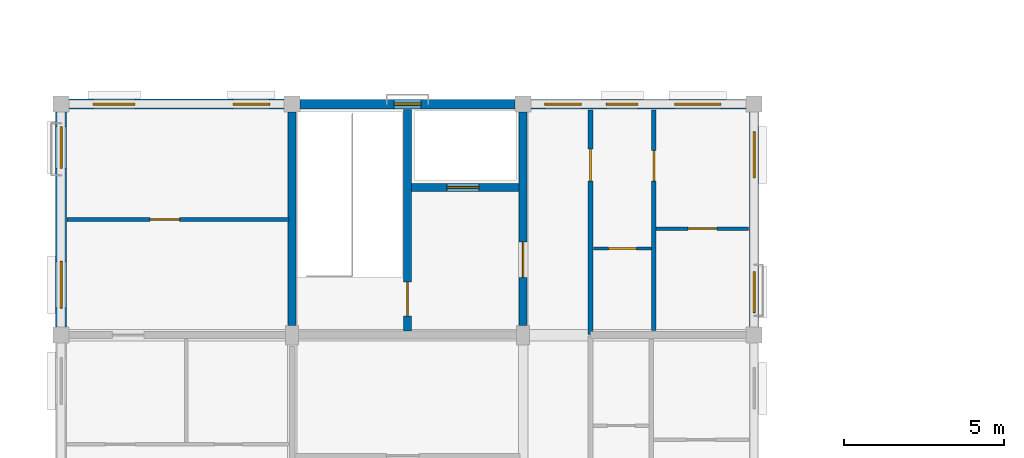
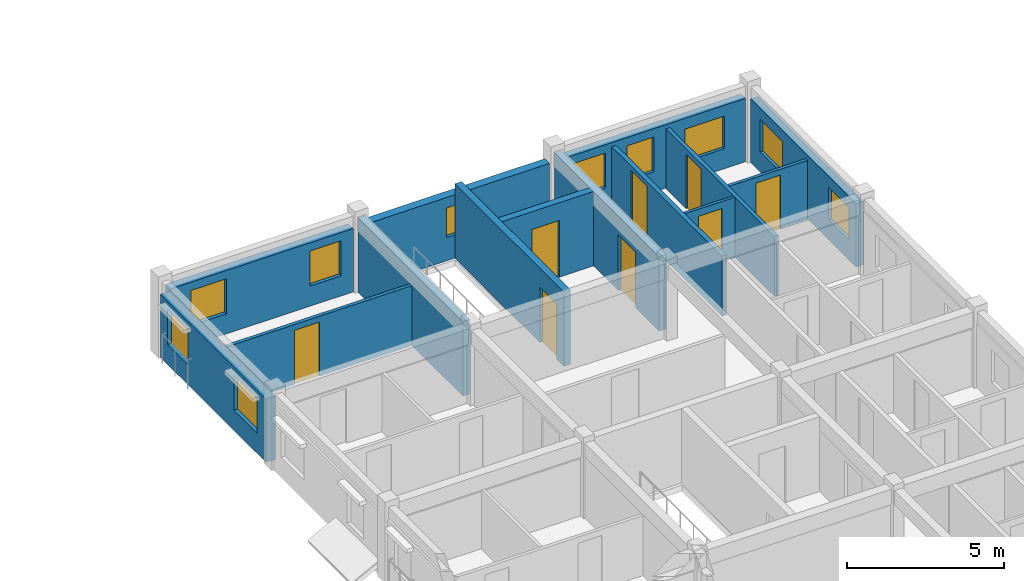
# One storey, part 46 of 64: 14 walls, 10 windows, 8 doors, 18 openings.
"""IFC4 building model written with IfcOpenShell, lengths in metres."""

from ifc_helpers import new_model, si_unit, direction, frame, frame_2d, origin, place, context, subcontext, project, spatial, rectangle, extrude, material, layer, layer_set, type_object, element, fill, save


model = new_model("IFC4")

# Units and contexts
model_context = context("Model", 3, precision=1e-05, world=origin(), true_north=direction((0.0, 1.0)))
body_context = subcontext(model_context, "Body", "Model", "MODEL_VIEW")
ifc_project = project(units=[si_unit("LENGTHUNIT", "METRE"), si_unit("AREAUNIT", "SQUARE_METRE"), si_unit("VOLUMEUNIT", "CUBIC_METRE"), si_unit("PLANEANGLEUNIT", "RADIAN"), si_unit("MASSUNIT", "GRAM", prefix="KILO"), si_unit("THERMODYNAMICTEMPERATUREUNIT", "KELVIN"), si_unit("POWERUNIT", "WATT")], contexts=[model_context])

# Site, building, storey
site_placement = place(None, origin())
site = spatial("IfcSite", under=ifc_project, at=site_placement, CompositionType="ELEMENT")
building_placement = place(site_placement, origin())
building = spatial("IfcBuilding", under=site, at=building_placement, Name="Tavuni Mirador Residences", CompositionType="ELEMENT")
storey_placement = place(building_placement, frame((0.0, 0.0, 26.550048828125)))
storey = spatial("IfcBuildingStorey", under=building, at=storey_placement, Name="L08", CompositionType="ELEMENT", Elevation=26.550048828125)

# Wall
ifc_material_1 = material(Name="Precast concrete C40/50", Category="concrete")
ifc_layer_1 = layer(ifc_material_1, 0.25, Name="Precast concrete C40/50", Category="concrete")
ifc_layer_set_1 = layer_set([ifc_layer_1], Name="Precast concrete C40/50")
wall_type_1 = type_object("IfcWallType", Name="WT-COR250", PredefinedType="SHEAR", material=ifc_layer_set_1)
wall_1_placement = place(storey_placement, frame((10.800048828125, 86.699951171875, 0.0), z_axis=(0.0, 0.0, 1.0), x_axis=(0.0, 1.0, 0.0)))
element("IfcWall", 1, at=wall_1_placement, inside=storey, type_object=wall_type_1, Name="CWALL-C4-L08-W", PredefinedType="SHEAR", context=body_context, shape_type="SweptSolid", body=[
    extrude(rectangle(XDim=6.650146484375, YDim=0.25, at=frame_2d((3.3251953125, 0.0))), origin(), (0.0, 0.0, 1.0), 2.889892578125),
])

# Wall, opening, door
wall_2_placement = place(storey_placement, frame((18.0, 86.699951171875, 0.0), z_axis=(0.0, 0.0, 1.0), x_axis=(0.0, 1.0, 0.0)))
wall_2 = element("IfcWall", 2, at=wall_2_placement, inside=storey, type_object=wall_type_1, Name="CWALL-C4-L08-E", PredefinedType="SHEAR", context=body_context, shape_type="SweptSolid", body=[
    extrude(rectangle(XDim=6.650146484375, YDim=0.25, at=frame_2d((3.3251953125, 0.0))), origin(), (0.0, 0.0, 1.0), 2.889892578125),
])
opening_1_placement = place(wall_2_placement, frame((1.5, 0.0, 0.0)))
opening_1 = element("IfcOpeningElement", 3, at=opening_1_placement, cuts=wall_2, Name="Opening D-02", PredefinedType="OPENING", context=body_context, shape_type="SweptSolid", body=[
    extrude(rectangle(XDim=1.10009765625, YDim=2.14990234375, at=frame_2d((0.550048828125, 1.074951171875))), frame((0.0, 0.135009765625, 0.0), z_axis=(0.0, -1.0, 0.0), x_axis=(1.0, 0.0, 0.0)), (0.0, 0.0, 1.0), 0.27001953125),
])
ifc_material_2 = material(Name="Solid core iroko timber", Category="wood")
door_type_1 = type_object("IfcDoorType", Name="DT-LOB1100", OperationType="NOTDEFINED", PredefinedType="DOOR", material=ifc_material_2)
door_1_placement = place(opening_1_placement, frame((1.10009765625, 0.0, 0.0), z_axis=(0.0, 0.0, 1.0), x_axis=(-1.0, 0.0, 0.0)))
door_1 = element("IfcDoor", 4, at=door_1_placement, inside=storey, type_object=door_type_1, Name="DR-2168", OperationType="SINGLE_SWING_LEFT", OverallHeight=2.14990234375, OverallWidth=1.10009765625, PredefinedType="DOOR", context=body_context, shape_type="SweptSolid", body=[
    extrude(rectangle(XDim=1.10009765625, YDim=2.14990234375, at=frame_2d((0.550048828125, 1.074951171875))), frame((0.0, 0.02490234375, 0.0), z_axis=(0.0, -1.0, 0.0), x_axis=(1.0, 0.0, 0.0)), (0.0, 0.0, 1.0), 0.050048828125),
])
fill(opening_1, door_1)

wall_3_placement = place(storey_placement, frame((14.39990234375, 86.52490234375, 0.0), z_axis=(0.0, 0.0, 1.0), x_axis=(0.0, 1.0, 0.0)))
wall_3 = element("IfcWall", 5, at=wall_3_placement, inside=storey, type_object=wall_type_1, Name="CWALL-C4-L08-MID", PredefinedType="SHEAR", context=body_context, shape_type="SweptSolid", body=[
    extrude(rectangle(XDim=6.9150390625, YDim=0.25, at=frame_2d((3.45751953125, 0.0))), origin(), (0.0, 0.0, 1.0), 2.889892578125),
])
opening_2_placement = place(wall_3_placement, frame((0.47509765625, 0.0, 0.0)))
opening_2 = element("IfcOpeningElement", 6, at=opening_2_placement, cuts=wall_3, Name="Opening D-01", PredefinedType="OPENING", context=body_context, shape_type="SweptSolid", body=[
    extrude(rectangle(XDim=1.050048828125, YDim=2.14990234375, at=frame_2d((0.52490234375, 1.074951171875))), frame((0.0, 0.135009765625, 0.0), z_axis=(0.0, -1.0, 0.0), x_axis=(1.0, 0.0, 0.0)), (0.0, 0.0, 1.0), 0.27001953125),
])
door_type_2 = type_object("IfcDoorType", Name="DT-ST1050", OperationType="NOTDEFINED", PredefinedType="DOOR", material=ifc_material_2)
door_2_placement = place(opening_2_placement, origin())
door_2 = element("IfcDoor", 7, at=door_2_placement, inside=storey, type_object=door_type_2, Name="DR-2169", OperationType="SINGLE_SWING_LEFT", OverallHeight=2.14990234375, OverallWidth=1.050048828125, PredefinedType="DOOR", context=body_context, shape_type="SweptSolid", body=[
    extrude(rectangle(XDim=1.050048828125, YDim=2.14990234375, at=frame_2d((0.52490234375, 1.074951171875))), frame((0.0, 0.02490234375, 0.0), z_axis=(0.0, -1.0, 0.0), x_axis=(1.0, 0.0, 0.0)), (0.0, 0.0, 1.0), 0.050048828125),
])
fill(opening_2, door_2)

wall_4_placement = place(storey_placement, frame((14.52490234375, 91.0, 0.0), z_axis=(0.0, 0.0, 1.0), x_axis=(1.0, 0.0, 0.0)))
wall_4 = element("IfcWall", 8, at=wall_4_placement, inside=storey, type_object=wall_type_1, Name="CWALL-C4-L08-SHF", PredefinedType="SHEAR", context=body_context, shape_type="SweptSolid", body=[
    extrude(rectangle(XDim=3.35009765625, YDim=0.25, at=frame_2d((1.675048828125, 0.0))), origin(), (0.0, 0.0, 1.0), 2.889892578125),
])
opening_3_placement = place(wall_4_placement, frame((1.10009765625, 0.0, 0.0)))
opening_3 = element("IfcOpeningElement", 9, at=opening_3_placement, cuts=wall_4, Name="Opening LD-02", PredefinedType="OPENING", context=body_context, shape_type="SweptSolid", body=[
    extrude(rectangle(XDim=1.0, YDim=2.199951171875, at=frame_2d((0.5, 1.10009765625))), frame((0.0, 0.135009765625, 0.0), z_axis=(0.0, -1.0, 0.0), x_axis=(1.0, 0.0, 0.0)), (0.0, 0.0, 1.0), 0.27001953125),
])
ifc_material_3 = material(Name="Structural steel S355", Category="steel")
door_type_3 = type_object("IfcDoorType", Name="DT-LD-PAX", OperationType="SLIDING_TO_LEFT", PredefinedType="DOOR", material=ifc_material_3)
door_3_placement = place(opening_3_placement, origin())
door_3 = element("IfcDoor", 10, at=door_3_placement, inside=storey, type_object=door_type_3, Name="Lift landing door PL-B2 L08", OperationType="SLIDING_TO_LEFT", OverallHeight=2.199951171875, OverallWidth=1.0, PredefinedType="DOOR", context=body_context, shape_type="SweptSolid", body=[
    extrude(rectangle(XDim=1.0, YDim=2.199951171875, at=frame_2d((0.5, 1.10009765625))), frame((0.0, 0.02490234375, 0.0), z_axis=(0.0, -1.0, 0.0), x_axis=(1.0, 0.0, 0.0)), (0.0, 0.0, 1.0), 0.050048828125),
])
fill(opening_3, door_3)

ifc_layer_2 = layer(ifc_material_1, 0.1650390625, Name="Precast concrete C40/50", Category="concrete")
ifc_layer_set_2 = layer_set([ifc_layer_2], Name="Precast concrete C40/50")
wall_type_2 = type_object("IfcWallType", Name="WT-CORR165", PredefinedType="PARTITIONING", material=ifc_layer_set_2)
wall_5_placement = place(storey_placement, frame((20.10009765625, 86.419921875, 0.0), z_axis=(0.0, 0.0, 1.0), x_axis=(0.0, 1.0, 0.0)))
wall_5 = element("IfcWall", 11, at=wall_5_placement, inside=storey, type_object=wall_type_2, Name="CORW-BLK-B-L08-0-03", PredefinedType="PARTITIONING", context=body_context, shape_type="SweptSolid", body=[
    extrude(rectangle(XDim=7.005126953125, YDim=0.1650390625, at=frame_2d((3.50244140625, 0.0))), origin(), (0.0, 0.0, 1.0), 2.324951171875),
])
opening_4_placement = place(wall_5_placement, frame((4.780029296875, 0.0, 0.0)))
opening_4 = element("IfcOpeningElement", 12, at=opening_4_placement, cuts=wall_5, Name="Opening D-03", PredefinedType="OPENING", context=body_context, shape_type="SweptSolid", body=[
    extrude(rectangle(XDim=1.0, YDim=2.14990234375, at=frame_2d((0.5, 1.074951171875))), frame((0.0, 0.092529296875, 0.0), z_axis=(0.0, -1.0, 0.0), x_axis=(1.0, 0.0, 0.0)), (0.0, 0.0, 1.0), 0.18505859375),
])
door_type_4 = type_object("IfcDoorType", Name="DT-FD60-1000", OperationType="NOTDEFINED", PredefinedType="DOOR", material=ifc_material_2)
door_4_placement = place(opening_4_placement, origin())
door_4 = element("IfcDoor", 13, at=door_4_placement, inside=storey, type_object=door_type_4, Name="DR-2592", OperationType="SINGLE_SWING_LEFT", OverallHeight=2.14990234375, OverallWidth=1.0, PredefinedType="DOOR", context=body_context, shape_type="SweptSolid", body=[
    extrude(rectangle(XDim=1.0, YDim=2.14990234375, at=frame_2d((0.5, 1.074951171875))), frame((0.0, 0.02490234375, 0.0), z_axis=(0.0, -1.0, 0.0), x_axis=(1.0, 0.0, 0.0)), (0.0, 0.0, 1.0), 0.050048828125),
])
fill(opening_4, door_4)

# Wall, openings, windows
ifc_material_4 = material(Name="Sgraffito lime-rendered precast concrete C40/50", Category="concrete")
ifc_layer_3 = layer(ifc_material_4, 0.27490234375, Name="Sgraffito lime-rendered precast concrete C40/50", Category="concrete")
ifc_layer_set_3 = layer_set([ifc_layer_3], Name="Sgraffito lime-rendered precast concrete C40/50")
wall_type_3 = type_object("IfcWallType", Name="WT-EXT-PC275", PredefinedType="SOLIDWALL", material=ifc_layer_set_3)
wall_6_placement = place(storey_placement, frame((25.199951171875, 86.64990234375, 0.0), z_axis=(0.0, 0.0, 1.0), x_axis=(0.0, 1.0, 0.0)))
wall_6 = element("IfcWall", 14, at=wall_6_placement, inside=storey, type_object=wall_type_3, Name="EW-BLK-B-L08-E03", PredefinedType="SOLIDWALL", context=body_context, shape_type="SweptSolid", body=[
    extrude(rectangle(XDim=6.7001953125, YDim=0.27490234375, at=frame_2d((3.35009765625, 0.0))), origin(), (0.0, 0.0, 1.0), 2.4599609375),
])
opening_5_placement = place(wall_6_placement, frame((0.449951171875, 0.0, 0.780029296875)))
opening_5 = element("IfcOpeningElement", 15, at=opening_5_placement, cuts=wall_6, Name="Opening WN-14", PredefinedType="OPENING", context=body_context, shape_type="SweptSolid", body=[
    extrude(rectangle(XDim=1.280029296875, YDim=1.260009765625, at=frame_2d((0.64013671875, 0.6298828125))), frame((0.0, 0.1474609375, 0.0), z_axis=(0.0, -1.0, 0.0), x_axis=(1.0, 0.0, 0.0)), (0.0, 0.0, 1.0), 0.294921875),
])
opening_6_placement = place(wall_6_placement, frame((4.64990234375, 0.0, 0.780029296875)))
opening_6 = element("IfcOpeningElement", 16, at=opening_6_placement, cuts=wall_6, Name="Opening WN-16", PredefinedType="OPENING", context=body_context, shape_type="SweptSolid", body=[
    extrude(rectangle(XDim=1.43994140625, YDim=1.260009765625, at=frame_2d((0.719970703125, 0.6298828125))), frame((0.0, 0.1474609375, 0.0), z_axis=(0.0, -1.0, 0.0), x_axis=(1.0, 0.0, 0.0)), (0.0, 0.0, 1.0), 0.294921875),
])
ifc_material_5 = material(Name="Laminated solar-control glass", Category="glass")
window_type_1 = type_object("IfcWindowType", Name="WNT-14", PartitioningType="SINGLE_PANEL", PredefinedType="WINDOW", material=ifc_material_5)
window_1_placement = place(opening_5_placement, origin())
window_1 = element("IfcWindow", 17, at=window_1_placement, inside=storey, type_object=window_type_1, Name="WIN-0785", OverallHeight=1.260009765625, OverallWidth=1.280029296875, PartitioningType="SINGLE_PANEL", PredefinedType="WINDOW", context=body_context, shape_type="SweptSolid", body=[
    extrude(rectangle(XDim=1.280029296875, YDim=1.260009765625, at=frame_2d((0.64013671875, 0.6298828125))), frame((0.0, 0.030029296875, 0.0), z_axis=(0.0, -1.0, 0.0), x_axis=(1.0, 0.0, 0.0)), (0.0, 0.0, 1.0), 0.06005859375),
])
fill(opening_5, window_1)
window_type_2 = type_object("IfcWindowType", Name="WNT-16", PartitioningType="SINGLE_PANEL", PredefinedType="WINDOW", material=ifc_material_5)
window_2_placement = place(opening_6_placement, origin())
window_2 = element("IfcWindow", 18, at=window_2_placement, inside=storey, type_object=window_type_2, Name="WIN-0786", OverallHeight=1.260009765625, OverallWidth=1.43994140625, PartitioningType="SINGLE_PANEL", PredefinedType="WINDOW", context=body_context, shape_type="SweptSolid", body=[
    extrude(rectangle(XDim=1.43994140625, YDim=1.260009765625, at=frame_2d((0.719970703125, 0.6298828125))), frame((0.0, 0.030029296875, 0.0), z_axis=(0.0, -1.0, 0.0), x_axis=(1.0, 0.0, 0.0)), (0.0, 0.0, 1.0), 0.06005859375),
])
fill(opening_6, window_2)

ifc_layer_4 = layer(ifc_material_4, 0.2900390625, Name="Sgraffito lime-rendered precast concrete C40/50", Category="concrete")
ifc_layer_set_4 = layer_set([ifc_layer_4], Name="Sgraffito lime-rendered precast concrete C40/50")
wall_type_4 = type_object("IfcWallType", Name="WT-EXT-PC290", PredefinedType="SOLIDWALL", material=ifc_layer_set_4)
wall_7_placement = place(storey_placement, frame((24.949951171875, 93.60009765625, 0.0), z_axis=(0.0, 0.0, 1.0), x_axis=(-1.0, 0.0, 0.0)))
wall_7 = element("IfcWall", 19, at=wall_7_placement, inside=storey, type_object=wall_type_4, Name="EW-BLK-B-L08-N02", PredefinedType="SOLIDWALL", context=body_context, shape_type="SweptSolid", body=[
    extrude(rectangle(XDim=6.699951171875, YDim=0.2900390625, at=frame_2d((3.35009765625, 0.0))), origin(), (0.0, 0.0, 1.0), 2.4599609375),
])
opening_7_placement = place(wall_7_placement, frame((0.784912109375, 0.0, 0.780029296875)))
opening_7 = element("IfcOpeningElement", 20, at=opening_7_placement, cuts=wall_7, Name="Opening WN-16", PredefinedType="OPENING", context=body_context, shape_type="SweptSolid", body=[
    extrude(rectangle(XDim=1.43994140625, YDim=1.260009765625, at=frame_2d((0.719970703125, 0.6298828125))), frame((0.0, 0.155029296875, 0.0), z_axis=(0.0, -1.0, 0.0), x_axis=(1.0, 0.0, 0.0)), (0.0, 0.0, 1.0), 0.31005859375),
])
opening_8_placement = place(wall_7_placement, frame((3.3701171875, 0.0, 0.780029296875)))
opening_8 = element("IfcOpeningElement", 21, at=opening_8_placement, cuts=wall_7, Name="Opening WN-18", PredefinedType="OPENING", context=body_context, shape_type="SweptSolid", body=[
    extrude(rectangle(XDim=0.97998046875, YDim=1.360107421875, at=frame_2d((0.489990234375, 0.68017578125))), frame((0.0, 0.155029296875, 0.0), z_axis=(0.0, -1.0, 0.0), x_axis=(1.0, 0.0, 0.0)), (0.0, 0.0, 1.0), 0.31005859375),
])
opening_9_placement = place(wall_7_placement, frame((5.135009765625, 0.0, 0.780029296875)))
opening_9 = element("IfcOpeningElement", 22, at=opening_9_placement, cuts=wall_7, Name="Opening WN-20", PredefinedType="OPENING", context=body_context, shape_type="SweptSolid", body=[
    extrude(rectangle(XDim=1.139892578125, YDim=1.360107421875, at=frame_2d((0.56982421875, 0.68017578125))), frame((0.0, 0.155029296875, 0.0), z_axis=(0.0, -1.0, 0.0), x_axis=(1.0, 0.0, 0.0)), (0.0, 0.0, 1.0), 0.31005859375),
])
window_3_placement = place(opening_7_placement, origin())
window_3 = element("IfcWindow", 23, at=window_3_placement, inside=storey, type_object=window_type_2, Name="WIN-0787", OverallHeight=1.260009765625, OverallWidth=1.43994140625, PartitioningType="SINGLE_PANEL", PredefinedType="WINDOW", context=body_context, shape_type="SweptSolid", body=[
    extrude(rectangle(XDim=1.43994140625, YDim=1.260009765625, at=frame_2d((0.719970703125, 0.6298828125))), frame((0.0, 0.030029296875, 0.0), z_axis=(0.0, -1.0, 0.0), x_axis=(1.0, 0.0, 0.0)), (0.0, 0.0, 1.0), 0.06005859375),
])
fill(opening_7, window_3)
window_type_3 = type_object("IfcWindowType", Name="WNT-18", PartitioningType="SINGLE_PANEL", PredefinedType="WINDOW", material=ifc_material_5)
window_4_placement = place(opening_8_placement, origin())
window_4 = element("IfcWindow", 24, at=window_4_placement, inside=storey, type_object=window_type_3, Name="WIN-0788", OverallHeight=1.360107421875, OverallWidth=0.97998046875, PartitioningType="SINGLE_PANEL", PredefinedType="WINDOW", context=body_context, shape_type="SweptSolid", body=[
    extrude(rectangle(XDim=0.97998046875, YDim=1.360107421875, at=frame_2d((0.489990234375, 0.68017578125))), frame((0.0, 0.030029296875, 0.0), z_axis=(0.0, -1.0, 0.0), x_axis=(1.0, 0.0, 0.0)), (0.0, 0.0, 1.0), 0.06005859375),
])
fill(opening_8, window_4)
window_type_4 = type_object("IfcWindowType", Name="WNT-20", PartitioningType="SINGLE_PANEL", PredefinedType="WINDOW", material=ifc_material_5)
window_5_placement = place(opening_9_placement, origin())
window_5 = element("IfcWindow", 25, at=window_5_placement, inside=storey, type_object=window_type_4, Name="WIN-0789", OverallHeight=1.360107421875, OverallWidth=1.139892578125, PartitioningType="SINGLE_PANEL", PredefinedType="WINDOW", context=body_context, shape_type="SweptSolid", body=[
    extrude(rectangle(XDim=1.139892578125, YDim=1.360107421875, at=frame_2d((0.56982421875, 0.68017578125))), frame((0.0, 0.030029296875, 0.0), z_axis=(0.0, -1.0, 0.0), x_axis=(1.0, 0.0, 0.0)), (0.0, 0.0, 1.0), 0.06005859375),
])
fill(opening_9, window_5)

# Wall, opening, window
ifc_layer_5 = layer(ifc_material_4, 0.304931640625, Name="Sgraffito lime-rendered precast concrete C40/50", Category="concrete")
ifc_layer_set_5 = layer_set([ifc_layer_5], Name="Sgraffito lime-rendered precast concrete C40/50")
wall_type_5 = type_object("IfcWallType", Name="WT-EXT-PC305", PredefinedType="SOLIDWALL", material=ifc_layer_set_5)
wall_8_placement = place(storey_placement, frame((17.75, 93.60009765625, 0.0), z_axis=(0.0, 0.0, 1.0), x_axis=(-1.0, 0.0, 0.0)))
wall_8 = element("IfcWall", 26, at=wall_8_placement, inside=storey, type_object=wall_type_5, Name="EW-BLK-B-L08-N01", PredefinedType="SOLIDWALL", context=body_context, shape_type="SweptSolid", body=[
    extrude(rectangle(XDim=6.699951171875, YDim=0.304931640625, at=frame_2d((3.35009765625, 0.0))), origin(), (0.0, 0.0, 1.0), 2.4599609375),
])
opening_10_placement = place(wall_8_placement, frame((2.925048828125, 0.0, 0.89990234375)))
opening_10 = element("IfcOpeningElement", 27, at=opening_10_placement, cuts=wall_8, Name="Opening WN-01", PredefinedType="OPENING", context=body_context, shape_type="SweptSolid", body=[
    extrude(rectangle(XDim=0.85009765625, YDim=1.14990234375, at=frame_2d((0.425048828125, 0.574951171875))), frame((0.0, 0.16259765625, 0.0), z_axis=(0.0, -1.0, 0.0), x_axis=(1.0, 0.0, 0.0)), (0.0, 0.0, 1.0), 0.324951171875),
])
window_type_5 = type_object("IfcWindowType", Name="WNT-01", PartitioningType="SINGLE_PANEL", PredefinedType="WINDOW", material=ifc_material_5)
window_6_placement = place(opening_10_placement, origin())
window_6 = element("IfcWindow", 28, at=window_6_placement, inside=storey, type_object=window_type_5, Name="WIN-0790", OverallHeight=1.14990234375, OverallWidth=0.85009765625, PartitioningType="SINGLE_PANEL", PredefinedType="WINDOW", context=body_context, shape_type="SweptSolid", body=[
    extrude(rectangle(XDim=0.85009765625, YDim=1.14990234375, at=frame_2d((0.425048828125, 0.574951171875))), frame((0.0, 0.030029296875, 0.0), z_axis=(0.0, -1.0, 0.0), x_axis=(1.0, 0.0, 0.0)), (0.0, 0.0, 1.0), 0.06005859375),
])
fill(opening_10, window_6)

# Wall, openings, windows
ifc_layer_6 = layer(ifc_material_4, 0.31494140625, Name="Sgraffito lime-rendered precast concrete C40/50", Category="concrete")
ifc_layer_set_6 = layer_set([ifc_layer_6], Name="Sgraffito lime-rendered precast concrete C40/50")
wall_type_6 = type_object("IfcWallType", Name="WT-EXT-PC315", PredefinedType="SOLIDWALL", material=ifc_layer_set_6)
wall_9_placement = place(storey_placement, frame((10.550048828125, 93.60009765625, 0.0), z_axis=(0.0, 0.0, 1.0), x_axis=(-1.0, 0.0, 0.0)))
wall_9 = element("IfcWall", 29, at=wall_9_placement, inside=storey, type_object=wall_type_6, Name="EW-BLK-B-L08-N00", PredefinedType="SOLIDWALL", context=body_context, shape_type="SweptSolid", body=[
    extrude(rectangle(XDim=6.699951171875, YDim=0.31494140625, at=frame_2d((3.35009765625, 0.0))), origin(), (0.0, 0.0, 1.0), 2.4599609375),
])
opening_11_placement = place(wall_9_placement, frame((0.449951171875, 0.0, 0.780029296875)))
opening_11 = element("IfcOpeningElement", 30, at=opening_11_placement, cuts=wall_9, Name="Opening WN-20", PredefinedType="OPENING", context=body_context, shape_type="SweptSolid", body=[
    extrude(rectangle(XDim=1.139892578125, YDim=1.360107421875, at=frame_2d((0.56982421875, 0.68017578125))), frame((0.0, 0.16748046875, 0.0), z_axis=(0.0, -1.0, 0.0), x_axis=(1.0, 0.0, 0.0)), (0.0, 0.0, 1.0), 0.3349609375),
])
opening_12_placement = place(wall_9_placement, frame((4.64990234375, 0.0, 0.780029296875)))
opening_12 = element("IfcOpeningElement", 31, at=opening_12_placement, cuts=wall_9, Name="Opening WN-22", PredefinedType="OPENING", context=body_context, shape_type="SweptSolid", body=[
    extrude(rectangle(XDim=1.300048828125, YDim=1.360107421875, at=frame_2d((0.64990234375, 0.68017578125))), frame((0.0, 0.16748046875, 0.0), z_axis=(0.0, -1.0, 0.0), x_axis=(1.0, 0.0, 0.0)), (0.0, 0.0, 1.0), 0.3349609375),
])
window_7_placement = place(opening_11_placement, origin())
window_7 = element("IfcWindow", 32, at=window_7_placement, inside=storey, type_object=window_type_4, Name="WIN-0791", OverallHeight=1.360107421875, OverallWidth=1.139892578125, PartitioningType="SINGLE_PANEL", PredefinedType="WINDOW", context=body_context, shape_type="SweptSolid", body=[
    extrude(rectangle(XDim=1.139892578125, YDim=1.360107421875, at=frame_2d((0.56982421875, 0.68017578125))), frame((0.0, 0.030029296875, 0.0), z_axis=(0.0, -1.0, 0.0), x_axis=(1.0, 0.0, 0.0)), (0.0, 0.0, 1.0), 0.06005859375),
])
fill(opening_11, window_7)
window_type_6 = type_object("IfcWindowType", Name="WNT-22", PartitioningType="SINGLE_PANEL", PredefinedType="WINDOW", material=ifc_material_5)
window_8_placement = place(opening_12_placement, origin())
window_8 = element("IfcWindow", 33, at=window_8_placement, inside=storey, type_object=window_type_6, Name="WIN-0792", OverallHeight=1.360107421875, OverallWidth=1.300048828125, PartitioningType="SINGLE_PANEL", PredefinedType="WINDOW", context=body_context, shape_type="SweptSolid", body=[
    extrude(rectangle(XDim=1.300048828125, YDim=1.360107421875, at=frame_2d((0.64990234375, 0.68017578125))), frame((0.0, 0.030029296875, 0.0), z_axis=(0.0, -1.0, 0.0), x_axis=(1.0, 0.0, 0.0)), (0.0, 0.0, 1.0), 0.06005859375),
])
fill(opening_12, window_8)

ifc_layer_7 = layer(ifc_material_4, 0.344970703125, Name="Sgraffito lime-rendered precast concrete C40/50", Category="concrete")
ifc_layer_set_7 = layer_set([ifc_layer_7], Name="Sgraffito lime-rendered precast concrete C40/50")
wall_type_7 = type_object("IfcWallType", Name="WT-EXT-PTY345", PredefinedType="SOLIDWALL", material=ifc_layer_set_7)
wall_10_placement = place(storey_placement, frame((3.60009765625, 93.35009765625, 0.0), z_axis=(0.0, 0.0, 1.0), x_axis=(0.0, -1.0, 0.0)))
wall_10 = element("IfcWall", 34, at=wall_10_placement, inside=storey, type_object=wall_type_7, Name="EW-BLK-B-L08-W03", PredefinedType="SOLIDWALL", context=body_context, shape_type="SweptSolid", body=[
    extrude(rectangle(XDim=6.7001953125, YDim=0.344970703125, at=frame_2d((3.35009765625, 0.0))), origin(), (0.0, 0.0, 1.0), 2.4599609375),
])
opening_13_placement = place(wall_10_placement, frame((0.449951171875, 0.0, 0.780029296875)))
opening_13 = element("IfcOpeningElement", 35, at=opening_13_placement, cuts=wall_10, Name="Opening WN-22", PredefinedType="OPENING", context=body_context, shape_type="SweptSolid", body=[
    extrude(rectangle(XDim=1.300048828125, YDim=1.360107421875, at=frame_2d((0.64990234375, 0.68017578125))), frame((0.0, 0.1826171875, 0.0), z_axis=(0.0, -1.0, 0.0), x_axis=(1.0, 0.0, 0.0)), (0.0, 0.0, 1.0), 0.364990234375),
])
opening_14_placement = place(wall_10_placement, frame((4.64990234375, 0.0, 0.780029296875)))
opening_14 = element("IfcOpeningElement", 36, at=opening_14_placement, cuts=wall_10, Name="Opening WN-24", PredefinedType="OPENING", context=body_context, shape_type="SweptSolid", body=[
    extrude(rectangle(XDim=1.4599609375, YDim=1.360107421875, at=frame_2d((0.72998046875, 0.68017578125))), frame((0.0, 0.1826171875, 0.0), z_axis=(0.0, -1.0, 0.0), x_axis=(1.0, 0.0, 0.0)), (0.0, 0.0, 1.0), 0.364990234375),
])
window_9_placement = place(opening_13_placement, origin())
window_9 = element("IfcWindow", 37, at=window_9_placement, inside=storey, type_object=window_type_6, Name="WIN-0793", OverallHeight=1.360107421875, OverallWidth=1.300048828125, PartitioningType="SINGLE_PANEL", PredefinedType="WINDOW", context=body_context, shape_type="SweptSolid", body=[
    extrude(rectangle(XDim=1.300048828125, YDim=1.360107421875, at=frame_2d((0.64990234375, 0.68017578125))), frame((0.0, 0.030029296875, 0.0), z_axis=(0.0, -1.0, 0.0), x_axis=(1.0, 0.0, 0.0)), (0.0, 0.0, 1.0), 0.06005859375),
])
fill(opening_13, window_9)
window_type_7 = type_object("IfcWindowType", Name="WNT-24", PartitioningType="SINGLE_PANEL", PredefinedType="WINDOW", material=ifc_material_5)
window_10_placement = place(opening_14_placement, origin())
window_10 = element("IfcWindow", 38, at=window_10_placement, inside=storey, type_object=window_type_7, Name="WIN-0794", OverallHeight=1.360107421875, OverallWidth=1.4599609375, PartitioningType="SINGLE_PANEL", PredefinedType="WINDOW", context=body_context, shape_type="SweptSolid", body=[
    extrude(rectangle(XDim=1.4599609375, YDim=1.360107421875, at=frame_2d((0.72998046875, 0.68017578125))), frame((0.0, 0.030029296875, 0.0), z_axis=(0.0, -1.0, 0.0), x_axis=(1.0, 0.0, 0.0)), (0.0, 0.0, 1.0), 0.06005859375),
])
fill(opening_14, window_10)

# Wall, opening, door
ifc_material_6 = material(Name="Acoustic gypsum and concrete block partition", Category="concrete")
ifc_layer_8 = layer(ifc_material_6, 0.10498046875, Name="Acoustic gypsum and concrete block partition", Category="concrete")
ifc_layer_set_8 = layer_set([ifc_layer_8], Name="Acoustic gypsum and concrete block partition")
wall_type_8 = type_object("IfcWallType", Name="WT-PART105", PredefinedType="PARTITIONING", material=ifc_layer_set_8)
wall_11_placement = place(storey_placement, frame((20.18994140625, 89.10009765625, 0.0), z_axis=(0.0, 0.0, 1.0), x_axis=(1.0, 0.0, 0.0)))
wall_11 = element("IfcWall", 39, at=wall_11_placement, inside=storey, type_object=wall_type_8, Name="PW-BLK-B-L08-E03-IN1", PredefinedType="PARTITIONING", context=body_context, shape_type="SweptSolid", body=[
    extrude(rectangle(XDim=1.820068359375, YDim=0.10498046875, at=frame_2d((0.91015625, 0.0))), origin(), (0.0, 0.0, 1.0), 2.324951171875),
])
opening_15_placement = place(wall_11_placement, frame((0.47509765625, 0.0, 0.0)))
opening_15 = element("IfcOpeningElement", 40, at=opening_15_placement, cuts=wall_11, Name="Opening D-10", PredefinedType="OPENING", context=body_context, shape_type="SweptSolid", body=[
    extrude(rectangle(XDim=0.8701171875, YDim=2.050048828125, at=frame_2d((0.43505859375, 1.02490234375))), frame((0.0, 0.0625, 0.0), z_axis=(0.0, -1.0, 0.0), x_axis=(1.0, 0.0, 0.0)), (0.0, 0.0, 1.0), 0.125),
])
door_type_5 = type_object("IfcDoorType", Name="DT-WC870", OperationType="NOTDEFINED", PredefinedType="DOOR", material=ifc_material_2)
door_5_placement = place(opening_15_placement, origin())
door_5 = element("IfcDoor", 41, at=door_5_placement, inside=storey, type_object=door_type_5, Name="DR-3642", OperationType="SINGLE_SWING_RIGHT", OverallHeight=2.050048828125, OverallWidth=0.8701171875, PredefinedType="DOOR", context=body_context, shape_type="SweptSolid", body=[
    extrude(rectangle(XDim=0.8701171875, YDim=2.050048828125, at=frame_2d((0.43505859375, 1.02490234375))), frame((0.0, 0.02490234375, 0.0), z_axis=(0.0, -1.0, 0.0), x_axis=(1.0, 0.0, 0.0)), (0.0, 0.0, 1.0), 0.050048828125),
])
fill(opening_15, door_5)

ifc_layer_9 = layer(ifc_material_6, 0.114990234375, Name="Acoustic gypsum and concrete block partition", Category="concrete")
ifc_layer_set_9 = layer_set([ifc_layer_9], Name="Acoustic gypsum and concrete block partition")
wall_type_9 = type_object("IfcWallType", Name="WT-PART115", PredefinedType="PARTITIONING", material=ifc_layer_set_9)
wall_12_placement = place(storey_placement, frame((22.14990234375, 89.719970703125, 0.0), z_axis=(0.0, 0.0, 1.0), x_axis=(1.0, 0.0, 0.0)))
wall_12 = element("IfcWall", 42, at=wall_12_placement, inside=storey, type_object=wall_type_9, Name="PW-BLK-B-L08-E03-OUT", PredefinedType="PARTITIONING", context=body_context, shape_type="SweptSolid", body=[
    extrude(rectangle(XDim=2.875, YDim=0.114990234375, at=frame_2d((1.4375, 0.0))), origin(), (0.0, 0.0, 1.0), 2.324951171875),
])
opening_16_placement = place(wall_12_placement, frame((0.987548828125, 0.0, 0.0)))
opening_16 = element("IfcOpeningElement", 43, at=opening_16_placement, cuts=wall_12, Name="Opening D-07", PredefinedType="OPENING", context=body_context, shape_type="SweptSolid", body=[
    extrude(rectangle(XDim=0.89990234375, YDim=2.10009765625, at=frame_2d((0.449951171875, 1.050048828125))), frame((0.0, 0.0673828125, 0.0), z_axis=(0.0, -1.0, 0.0), x_axis=(1.0, 0.0, 0.0)), (0.0, 0.0, 1.0), 0.135009765625),
])
door_type_6 = type_object("IfcDoorType", Name="DT-BED900", OperationType="NOTDEFINED", PredefinedType="DOOR", material=ifc_material_2)
door_6_placement = place(opening_16_placement, origin())
door_6 = element("IfcDoor", 44, at=door_6_placement, inside=storey, type_object=door_type_6, Name="DR-3641", OperationType="SINGLE_SWING_LEFT", OverallHeight=2.10009765625, OverallWidth=0.89990234375, PredefinedType="DOOR", context=body_context, shape_type="SweptSolid", body=[
    extrude(rectangle(XDim=0.89990234375, YDim=2.10009765625, at=frame_2d((0.449951171875, 1.050048828125))), frame((0.0, 0.02490234375, 0.0), z_axis=(0.0, -1.0, 0.0), x_axis=(1.0, 0.0, 0.0)), (0.0, 0.0, 1.0), 0.050048828125),
])
fill(opening_16, door_6)

ifc_layer_10 = layer(ifc_material_6, 0.125, Name="Acoustic gypsum and concrete block partition", Category="concrete")
ifc_layer_set_10 = layer_set([ifc_layer_10], Name="Acoustic gypsum and concrete block partition")
wall_type_10 = type_object("IfcWallType", Name="WT-PART125", PredefinedType="PARTITIONING", material=ifc_layer_set_10)
wall_13_placement = place(storey_placement, frame((3.77490234375, 90.0, 0.0), z_axis=(0.0, 0.0, 1.0), x_axis=(1.0, 0.0, 0.0)))
wall_13 = element("IfcWall", 45, at=wall_13_placement, inside=storey, type_object=wall_type_10, Name="PW-BLK-B-L08-PF03-H", PredefinedType="PARTITIONING", context=body_context, shape_type="SweptSolid", body=[
    extrude(rectangle(XDim=6.93505859375, YDim=0.125, at=frame_2d((3.467529296875, 0.0))), origin(), (0.0, 0.0, 1.0), 2.324951171875),
])
opening_17_placement = place(wall_13_placement, frame((2.60009765625, 0.0, 0.0)))
opening_17 = element("IfcOpeningElement", 46, at=opening_17_placement, cuts=wall_13, Name="Opening D-06", PredefinedType="OPENING", context=body_context, shape_type="SweptSolid", body=[
    extrude(rectangle(XDim=0.919921875, YDim=2.10009765625, at=frame_2d((0.4599609375, 1.050048828125))), frame((0.0, 0.072509765625, 0.0), z_axis=(0.0, -1.0, 0.0), x_axis=(1.0, 0.0, 0.0)), (0.0, 0.0, 1.0), 0.14501953125),
])
door_type_7 = type_object("IfcDoorType", Name="DT-INT920", OperationType="NOTDEFINED", PredefinedType="DOOR", material=ifc_material_2)
door_7_placement = place(opening_17_placement, origin())
door_7 = element("IfcDoor", 47, at=door_7_placement, inside=storey, type_object=door_type_7, Name="DR-3640", OperationType="SINGLE_SWING_RIGHT", OverallHeight=2.10009765625, OverallWidth=0.919921875, PredefinedType="DOOR", context=body_context, shape_type="SweptSolid", body=[
    extrude(rectangle(XDim=0.919921875, YDim=2.10009765625, at=frame_2d((0.4599609375, 1.050048828125))), frame((0.0, 0.02490234375, 0.0), z_axis=(0.0, -1.0, 0.0), x_axis=(1.0, 0.0, 0.0)), (0.0, 0.0, 1.0), 0.050048828125),
])
fill(opening_17, door_7)

ifc_layer_11 = layer(ifc_material_6, 0.139892578125, Name="Acoustic gypsum and concrete block partition", Category="concrete")
ifc_layer_set_11 = layer_set([ifc_layer_11], Name="Acoustic gypsum and concrete block partition")
wall_type_11 = type_object("IfcWallType", Name="WT-PART140", PredefinedType="PARTITIONING", material=ifc_layer_set_11)
wall_14_placement = place(storey_placement, frame((22.080078125, 86.5400390625, 0.0), z_axis=(0.0, 0.0, 1.0), x_axis=(0.0, 1.0, 0.0)))
wall_14 = element("IfcWall", 48, at=wall_14_placement, inside=storey, type_object=wall_type_11, Name="PW-BLK-B-L08-E03-MID", PredefinedType="PARTITIONING", context=body_context, shape_type="SweptSolid", body=[
    extrude(rectangle(XDim=6.885009765625, YDim=0.139892578125, at=frame_2d((3.4423828125, 0.0))), origin(), (0.0, 0.0, 1.0), 2.324951171875),
])
opening_18_placement = place(wall_14_placement, frame((4.659912109375, 0.0, 0.0)))
opening_18 = element("IfcOpeningElement", 49, at=opening_18_placement, cuts=wall_14, Name="Opening D-05", PredefinedType="OPENING", context=body_context, shape_type="SweptSolid", body=[
    extrude(rectangle(XDim=0.949951171875, YDim=2.10009765625, at=frame_2d((0.47509765625, 1.050048828125))), frame((0.0, 0.080078125, 0.0), z_axis=(0.0, -1.0, 0.0), x_axis=(1.0, 0.0, 0.0)), (0.0, 0.0, 1.0), 0.159912109375),
])
door_type_8 = type_object("IfcDoorType", Name="DT-INT950", OperationType="NOTDEFINED", PredefinedType="DOOR", material=ifc_material_2)
door_8_placement = place(opening_18_placement, origin())
door_8 = element("IfcDoor", 50, at=door_8_placement, inside=storey, type_object=door_type_8, Name="DR-3643", OperationType="SINGLE_SWING_LEFT", OverallHeight=2.10009765625, OverallWidth=0.949951171875, PredefinedType="DOOR", context=body_context, shape_type="SweptSolid", body=[
    extrude(rectangle(XDim=0.949951171875, YDim=2.10009765625, at=frame_2d((0.47509765625, 1.050048828125))), frame((0.0, 0.02490234375, 0.0), z_axis=(0.0, -1.0, 0.0), x_axis=(1.0, 0.0, 0.0)), (0.0, 0.0, 1.0), 0.050048828125),
])
fill(opening_18, door_8)

save(model, "model.ifc")
